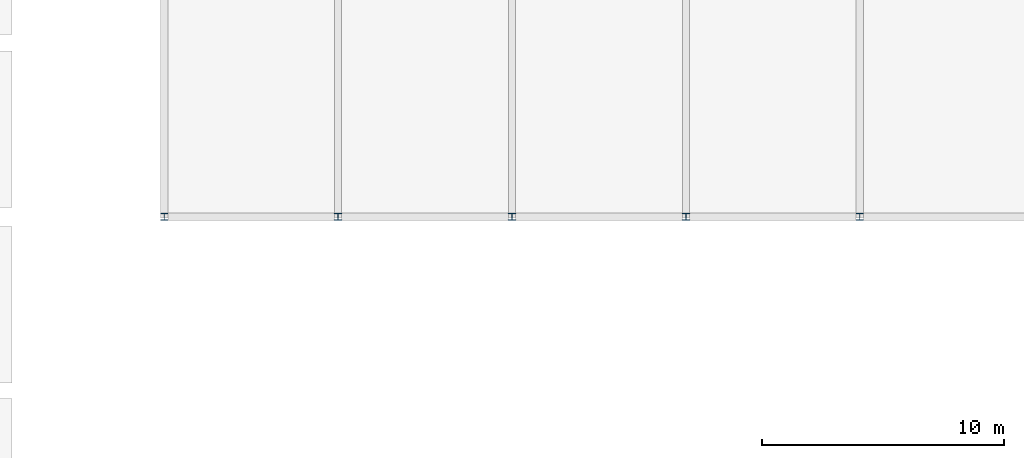
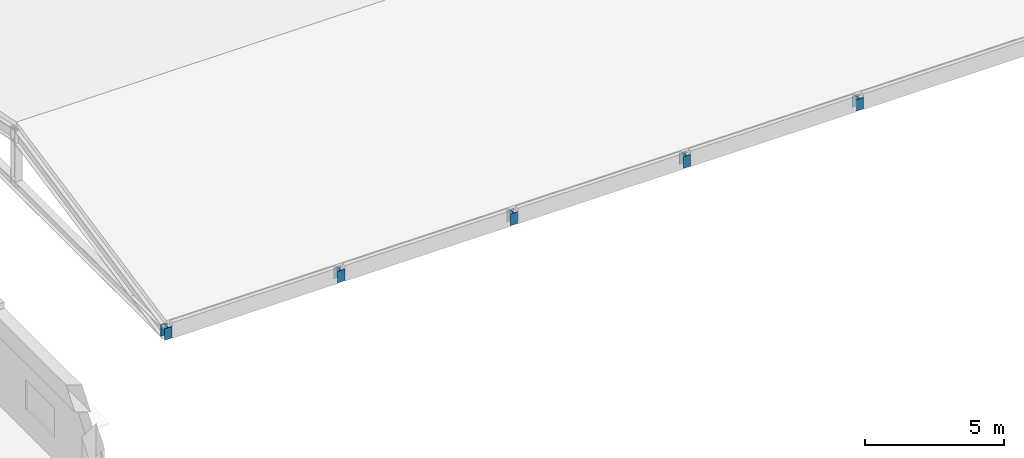
# One storey, part 9 of 103: 5 columns.
"""IFC4 building model written with IfcOpenShell, lengths in metres."""

from ifc_helpers import new_model, si_unit, direction, frame, origin, origin_2d, place, context, subcontext, project, spatial, i_section, extrude, material, material_profile, profile_set, type_object, element, save


model = new_model("IFC4")

# Units and contexts
model_context = context("Model", 3, precision=1e-05, world=origin(), true_north=direction((0.0, 1.0)))
body_context = subcontext(model_context, "Body", "Model", "MODEL_VIEW")
ifc_project = project(units=[si_unit("LENGTHUNIT", "METRE"), si_unit("AREAUNIT", "SQUARE_METRE"), si_unit("VOLUMEUNIT", "CUBIC_METRE"), si_unit("PLANEANGLEUNIT", "RADIAN"), si_unit("MASSUNIT", "GRAM", prefix="KILO")], contexts=[model_context])

# Site, building, storey
site_placement = place(None, origin())
site = spatial("IfcSite", under=ifc_project, at=site_placement, CompositionType="ELEMENT")
building_placement = place(site_placement, origin())
building = spatial("IfcBuilding", under=site, at=building_placement, Name="Thalmaran Polytechnic", CompositionType="ELEMENT")
storey_placement = place(building_placement, frame((0.0, 0.0, 14.39990234375)))
storey = spatial("IfcBuildingStorey", under=building, at=storey_placement, Name="L03", CompositionType="ELEMENT", Elevation=14.39990234375)

# Columns
ifc_material = material(Name="Steel S355", Category="steel")
ifc_material_profile = material_profile(ifc_material, i_section(OverallWidth=0.300048828125, OverallDepth=0.300048828125, WebThickness=0.010986328125, FlangeThickness=0.01904296875, at=origin_2d()), Name="HEB 300")
ifc_profile_set = profile_set([ifc_material_profile], Name="Steel S355")
column_type = type_object("IfcColumnType", Name="COL-SC2", PredefinedType="COLUMN", material=ifc_profile_set)
for number, where, z_axis, x_axis, name in (
    (1, (28.800048828125, 50.39990234375, 0.0), (0.0, 0.0, 1.0), (1.0, 0.0, 0.0), "Refectory Roof South Post G04"),
    (2, (36.0, 50.39990234375, 0.0), (0.0, 0.0, 1.0), (1.0, 0.0, 0.0), "Refectory Roof South Post G05"),
    (3, (43.199951171875, 50.39990234375, 0.0), (0.0, 0.0, 1.0), (1.0, 0.0, 0.0), "Refectory Roof South Post G06"),
    (4, (50.39990234375, 50.39990234375, 0.0), (0.0, 0.0, 1.0), (1.0, 0.0, 0.0), "Refectory Roof South Post G07"),
    (5, (57.60009765625, 50.39990234375, 0.0), (0.0, 0.0, 1.0), (1.0, 0.0, 0.0), "Refectory Roof South Post G08"),
):
    element("IfcColumn", number, at=place(storey_placement, frame(where, z_axis=z_axis, x_axis=x_axis)), inside=storey, type_object=column_type, Name=name, PredefinedType="COLUMN", context=body_context, shape_type="SweptSolid", body=[
        extrude(i_section(OverallWidth=0.300048828125, OverallDepth=0.300048828125, WebThickness=0.010986328125, FlangeThickness=0.01904296875, at=origin_2d()), origin(), (0.0, 0.0, 1.0), 0.510009765625),
    ])

save(model, "model.ifc")
